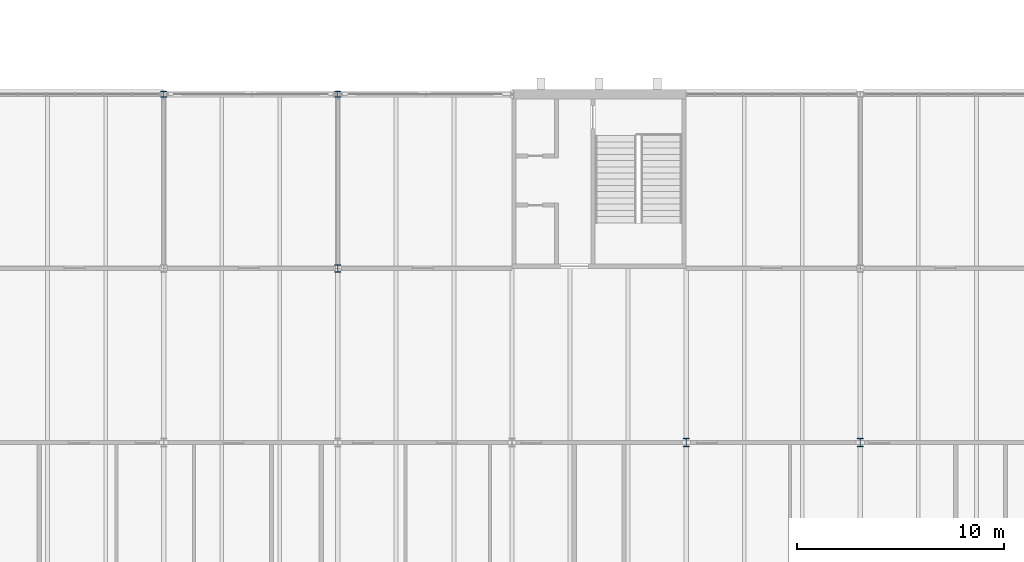
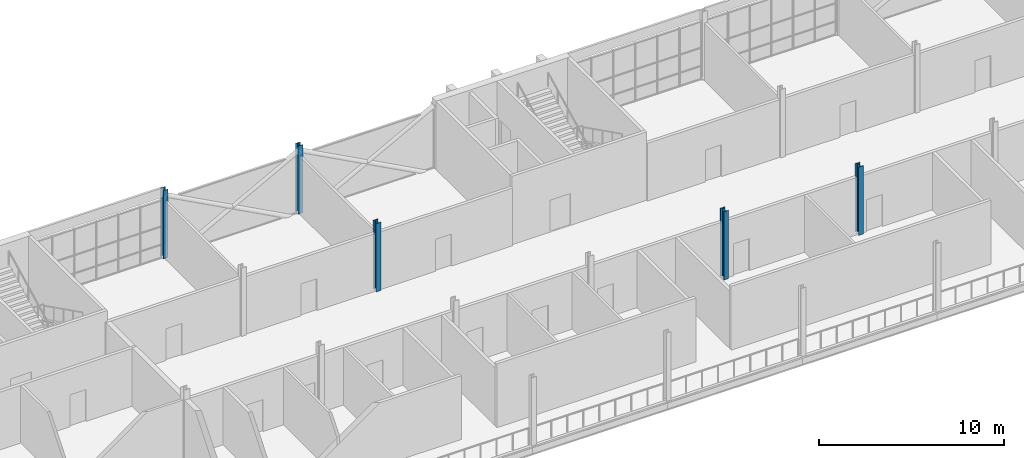
# One storey, part 8 of 129: 5 columns.
"""IFC4 building model written with IfcOpenShell, lengths in metres."""

from ifc_helpers import new_model, si_unit, direction, frame, origin, origin_2d, place, context, subcontext, project, spatial, i_section, extrude, material, material_profile, profile_set, type_object, element, save


model = new_model("IFC4")

# Units and contexts
model_context = context("Model", 3, precision=1e-05, world=origin(), true_north=direction((0.0, 1.0)))
body_context = subcontext(model_context, "Body", "Model", "MODEL_VIEW")
ifc_project = project(units=[si_unit("LENGTHUNIT", "METRE"), si_unit("AREAUNIT", "SQUARE_METRE"), si_unit("VOLUMEUNIT", "CUBIC_METRE"), si_unit("PLANEANGLEUNIT", "RADIAN"), si_unit("MASSUNIT", "GRAM", prefix="KILO")], contexts=[model_context])

# Site, building, storey
site_placement = place(None, origin())
site = spatial("IfcSite", under=ifc_project, at=site_placement, CompositionType="ELEMENT")
building_placement = place(site_placement, origin())
building = spatial("IfcBuilding", under=site, at=building_placement, Name="Ardhachandra Cancer Care Centre", CompositionType="ELEMENT")
storey_placement = place(building_placement, frame((0.0, 0.0, 4.5)))
storey = spatial("IfcBuildingStorey", under=building, at=storey_placement, Name="L01", CompositionType="ELEMENT", Elevation=4.5)

# Columns
ifc_material_1 = material(Name="Steel E350 (IS 2062)", Category="steel")
ifc_material_profile_1 = material_profile(ifc_material_1, i_section(OverallWidth=0.300048828125, OverallDepth=0.300048828125, WebThickness=0.010986328125, FlangeThickness=0.01904296875, FilletRadius=0.027099609375, at=origin_2d()), Name="WPB 300x300x117.03")
ifc_profile_set_1 = profile_set([ifc_material_profile_1], Name="Steel E350 (IS 2062)")
column_type_1 = type_object("IfcColumnType", Name="Column WPB 300x300x117.03", PredefinedType="COLUMN", material=ifc_profile_set_1)
for number, where, z_axis, x_axis, name in (
    (1, (52.800048828125, 96.60009765625, 0.0), (0.0, 0.0, 1.0), (1.0, 0.0, 0.0), "Column L6 L01"),
    (2, (61.199951171875, 96.60009765625, 0.0), (0.0, 0.0, 1.0), (1.0, 0.0, 0.0), "Column L7 L01"),
):
    element("IfcColumn", number, at=place(storey_placement, frame(where, z_axis=z_axis, x_axis=x_axis)), inside=storey, type_object=column_type_1, Name=name, PredefinedType="COLUMN", context=body_context, shape_type="SweptSolid", body=[
        extrude(i_section(OverallWidth=0.300048828125, OverallDepth=0.300048828125, WebThickness=0.010986328125, FlangeThickness=0.01904296875, FilletRadius=0.027099609375, at=origin_2d()), origin(), (0.0, 0.0, 1.0), 4.5),
    ])
ifc_material_2 = material(Name="Steel E350 (IS 2062)", Category="steel")
ifc_material_profile_2 = material_profile(ifc_material_2, i_section(OverallWidth=0.300048828125, OverallDepth=0.360107421875, WebThickness=0.012451171875, FlangeThickness=0.0224609375, FilletRadius=0.027099609375, at=origin_2d()), Name="WPB 360x300x141.80")
ifc_profile_set_2 = profile_set([ifc_material_profile_2], Name="Steel E350 (IS 2062)")
column_type_2 = type_object("IfcColumnType", Name="Column WPB 360x300x141.80", PredefinedType="COLUMN", material=ifc_profile_set_2)
column_placement = place(storey_placement, frame((61.199951171875, 88.199951171875, 0.0), z_axis=(0.0, 0.0, 1.0), x_axis=(1.0, 0.0, 0.0)))
element("IfcColumn", 3, at=column_placement, inside=storey, type_object=column_type_2, Name="Column K7 L01", PredefinedType="COLUMN", context=body_context, shape_type="SweptSolid", body=[
    extrude(i_section(OverallWidth=0.300048828125, OverallDepth=0.360107421875, WebThickness=0.012451171875, FlangeThickness=0.0224609375, FilletRadius=0.027099609375, at=origin_2d()), origin(), (0.0, 0.0, 1.0), 4.5),
])
ifc_material_3 = material(Name="Steel E350 (IS 2062)", Category="steel")
ifc_material_profile_3 = material_profile(ifc_material_3, i_section(OverallWidth=0.300048828125, OverallDepth=0.39990234375, WebThickness=0.013427734375, FlangeThickness=0.02392578125, FilletRadius=0.027099609375, at=origin_2d()), Name="WPB 400x300x155.26")
ifc_profile_set_3 = profile_set([ifc_material_profile_3], Name="Steel E350 (IS 2062)")
column_type_3 = type_object("IfcColumnType", Name="Column WPB 400x300x155.26", PredefinedType="COLUMN", material=ifc_profile_set_3)
for number, where, z_axis, x_axis, name in (
    (4, (78.0, 79.800048828125, 0.0), (0.0, 0.0, 1.0), (1.0, 0.0, 0.0), "Column J9 L01"),
    (5, (86.39990234375, 79.800048828125, 0.0), (0.0, 0.0, 1.0), (1.0, 0.0, 0.0), "Column J10 L01"),
):
    element("IfcColumn", number, at=place(storey_placement, frame(where, z_axis=z_axis, x_axis=x_axis)), inside=storey, type_object=column_type_3, Name=name, PredefinedType="COLUMN", context=body_context, shape_type="SweptSolid", body=[
        extrude(i_section(OverallWidth=0.300048828125, OverallDepth=0.39990234375, WebThickness=0.013427734375, FlangeThickness=0.02392578125, FilletRadius=0.027099609375, at=origin_2d()), origin(), (0.0, 0.0, 1.0), 4.5),
    ])

save(model, "model.ifc")
